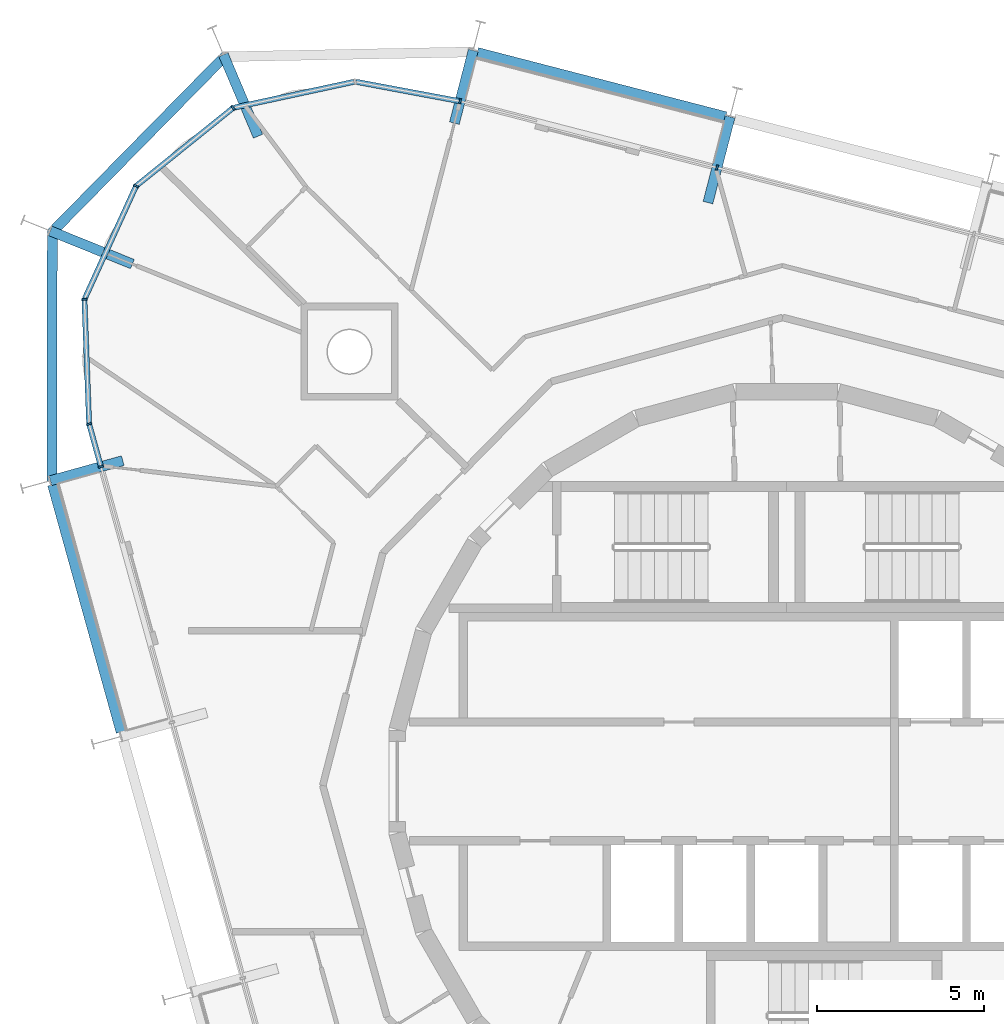
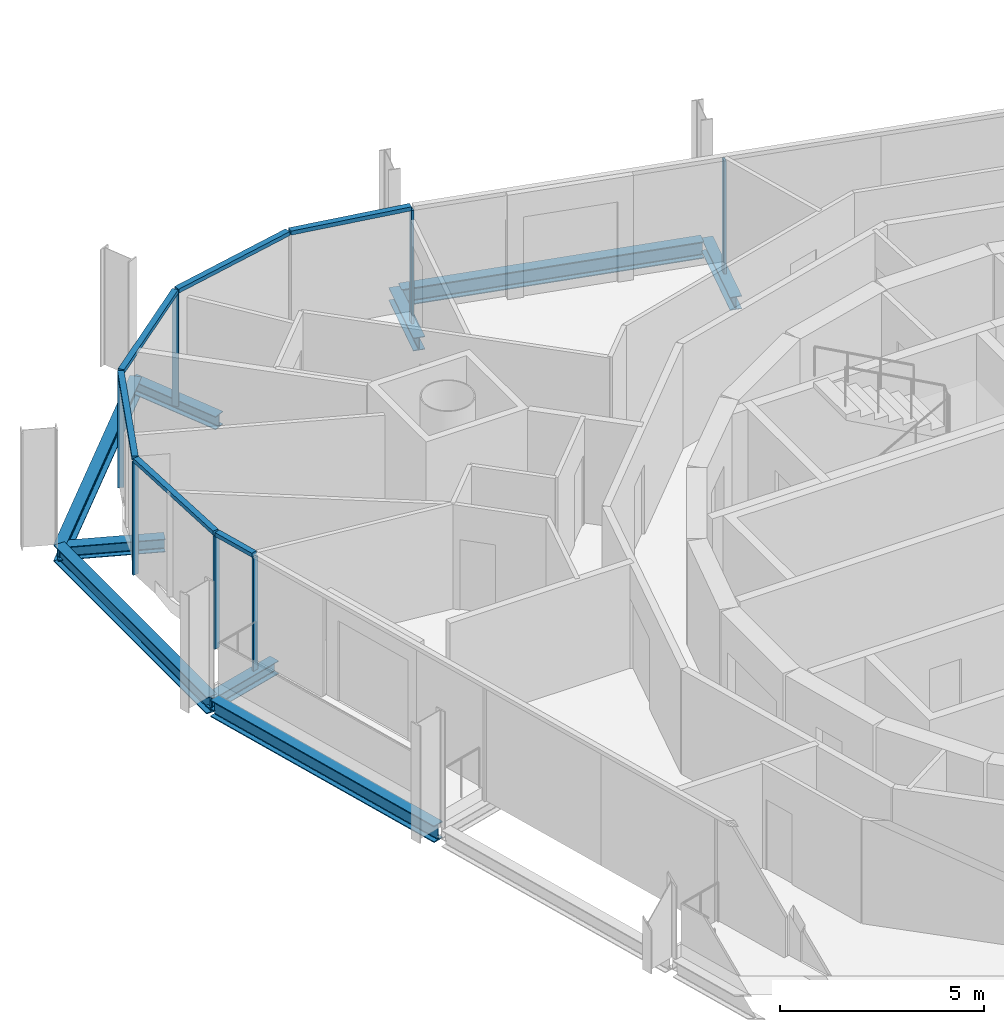
# One storey, part 5 of 15: 13 members, 9 beams, 3 elements without a shape of their own.
"""IFC4 building model written with IfcOpenShell, lengths in metres."""

from ifc_helpers import new_model, si_unit, direction, frame, origin, origin_2d, place, context, subcontext, project, spatial, rectangle, i_section, extrude, material, layer, layer_set, material_profile, profile_set, type_object, element, aggregate, save


model = new_model("IFC4")

# Units and contexts
model_context = context("Model", 3, precision=1e-05, world=origin(), true_north=direction((0.0, 1.0)))
body_context = subcontext(model_context, "Body", "Model", "MODEL_VIEW")
ifc_project = project(units=[si_unit("LENGTHUNIT", "METRE"), si_unit("AREAUNIT", "SQUARE_METRE"), si_unit("VOLUMEUNIT", "CUBIC_METRE"), si_unit("PLANEANGLEUNIT", "RADIAN"), si_unit("MASSUNIT", "GRAM", prefix="KILO")], contexts=[model_context])

# Site, building, storey
site_placement = place(None, origin())
site = spatial("IfcSite", under=ifc_project, at=site_placement, CompositionType="ELEMENT")
building_placement = place(site_placement, origin())
building = spatial("IfcBuilding", under=site, at=building_placement, Name="Spindle Arch Residences", CompositionType="ELEMENT")
storey_placement = place(building_placement, frame((0.0, 0.0, 308.699951171875)))
storey = spatial("IfcBuildingStorey", under=building, at=storey_placement, Name="L79", CompositionType="ELEMENT", Elevation=308.699951171875)

# Curtain wall, member
ifc_material_1 = material(Name="Aluminium bronze unitised frame with tinted glass", Category="aluminium")
ifc_layer_1 = layer(ifc_material_1, 0.159912109375)
ifc_layer_set_1 = layer_set([ifc_layer_1], Name="CW-C typical residential unitised wall")
curtain_wall_type_1 = type_object("IfcCurtainWallType", Name="CW-C typical residential unitised wall", PredefinedType="NOTDEFINED", material=ifc_layer_set_1)
curtain_wall_1_placement = place(storey_placement, origin())
curtain_wall_1 = element("IfcCurtainWall", 1, at=curtain_wall_1_placement, inside=storey, type_object=curtain_wall_type_1, Name="CW-C L79 run 2", PredefinedType="NOTDEFINED")
ifc_material_2 = material(Name="Aluminium bronze anodised mullion", Category="aluminium")
ifc_material_profile_1 = material_profile(ifc_material_2, rectangle(XDim=0.159912109375, YDim=0.06005859375, at=origin_2d()), Name="MU 60x160")
ifc_profile_set_1 = profile_set([ifc_material_profile_1], Name="Aluminium bronze anodised mullion")
member_type_1 = type_object("IfcMemberType", Name="Bronze mullion 60x160", PredefinedType="MULLION", material=ifc_profile_set_1)
member_1_placement = place(storey_placement, frame((-2.084228515625, 18.35107421875, -0.3798828125), z_axis=(0.0, 0.0, 1.0), x_axis=(-0.250380004054, -0.968147640378, 0.0)))
member_1 = element("IfcMember", 2, at=member_1_placement, type_object=member_type_1, Name="CW-C mullion 07", PredefinedType="MULLION", context=body_context, shape_type="SweptSolid", body=[
    extrude(rectangle(XDim=0.159912109375, YDim=0.06005859375, at=origin_2d()), origin(), (0.0, 0.0, 1.0), 3.3798828125),
])
aggregate(curtain_wall_1, [member_1])

# Curtain wall, members
ifc_material_3 = material(Name="Aluminium bronze unitised frame with tinted glass", Category="aluminium")
ifc_layer_2 = layer(ifc_material_3, 0.159912109375)
ifc_layer_set_2 = layer_set([ifc_layer_2], Name="CW-D corner wall on the fillet arcs")
curtain_wall_type_2 = type_object("IfcCurtainWallType", Name="CW-D corner wall on the fillet arcs", PredefinedType="NOTDEFINED", material=ifc_layer_set_2)
curtain_wall_2_placement = place(storey_placement, origin())
curtain_wall_2 = element("IfcCurtainWall", 3, at=curtain_wall_2_placement, inside=storey, type_object=curtain_wall_type_2, Name="CW-D L79 run 3", PredefinedType="NOTDEFINED")
member_2_placement = place(storey_placement, frame((-9.7666015625, 20.337890625, -0.3798828125), z_axis=(0.0, 0.0, 1.0), x_axis=(-0.183837217301, -0.98295670176, 0.0)))
member_2 = element("IfcMember", 4, at=member_2_placement, type_object=member_type_1, Name="CW-D mullion 00", PredefinedType="MULLION", context=body_context, shape_type="SweptSolid", body=[
    extrude(rectangle(XDim=0.159912109375, YDim=0.06005859375, at=origin_2d()), origin(), (0.0, 0.0, 1.0), 3.3798828125),
])
member_3_placement = place(storey_placement, frame((-16.5517578125, 20.14013671875, -0.3798828125), z_axis=(0.0, 0.0, 1.0), x_axis=(0.627057107401, -0.778973288411, 0.0)))
member_3 = element("IfcMember", 5, at=member_3_placement, type_object=member_type_1, Name="CW-D mullion 02", PredefinedType="MULLION", context=body_context, shape_type="SweptSolid", body=[
    extrude(rectangle(XDim=0.159912109375, YDim=0.06005859375, at=origin_2d()), origin(), (0.0, 0.0, 1.0), 3.3798828125),
])
member_4_placement = place(storey_placement, frame((-19.454833984375, 17.80322265625, -0.3798828125), z_axis=(0.0, 0.0, 1.0), x_axis=(0.9099612694, -0.414693245896, 0.0)))
member_4 = element("IfcMember", 6, at=member_4_placement, type_object=member_type_1, Name="CW-D mullion 03", PredefinedType="MULLION", context=body_context, shape_type="SweptSolid", body=[
    extrude(rectangle(XDim=0.159912109375, YDim=0.06005859375, at=origin_2d()), origin(), (0.0, 0.0, 1.0), 3.3798828125),
])
member_5_placement = place(storey_placement, frame((-21.00048828125, 14.411865234375, -0.3798828125), z_axis=(0.0, 0.0, 1.0), x_axis=(0.999285080405, 0.037806455536, 0.0)))
member_5 = element("IfcMember", 7, at=member_5_placement, type_object=member_type_1, Name="CW-D mullion 04", PredefinedType="MULLION", context=body_context, shape_type="SweptSolid", body=[
    extrude(rectangle(XDim=0.159912109375, YDim=0.06005859375, at=origin_2d()), origin(), (0.0, 0.0, 1.0), 3.3798828125),
])
member_6_placement = place(storey_placement, frame((-20.859375, 10.687744140625, -0.3798828125), z_axis=(0.0, 0.0, 1.0), x_axis=(0.963630453209, 0.267238376078, 0.0)))
member_6 = element("IfcMember", 8, at=member_6_placement, type_object=member_type_1, Name="CW-D mullion 05", PredefinedType="MULLION", context=body_context, shape_type="SweptSolid", body=[
    extrude(rectangle(XDim=0.159912109375, YDim=0.06005859375, at=origin_2d()), origin(), (0.0, 0.0, 1.0), 3.3798828125),
])

# Curtain wall, member
curtain_wall_3_placement = place(storey_placement, origin())
curtain_wall_3 = element("IfcCurtainWall", 9, at=curtain_wall_3_placement, inside=storey, type_object=curtain_wall_type_1, Name="CW-C L79 run 4", PredefinedType="NOTDEFINED")
member_7_placement = place(storey_placement, frame((-20.505126953125, 9.41015625, -0.3798828125), z_axis=(0.0, 0.0, 1.0), x_axis=(0.963630453209, 0.267238376078, 0.0)))
member_7 = element("IfcMember", 10, at=member_7_placement, type_object=member_type_1, Name="CW-C mullion 11", PredefinedType="MULLION", context=body_context, shape_type="SweptSolid", body=[
    extrude(rectangle(XDim=0.159912109375, YDim=0.06005859375, at=origin_2d()), origin(), (0.0, 0.0, 1.0), 3.3798828125),
])
aggregate(curtain_wall_3, [member_7])

# Member
ifc_material_4 = material(Name="Aluminium bronze anodised transom", Category="aluminium")
ifc_material_profile_2 = material_profile(ifc_material_4, rectangle(XDim=0.159912109375, YDim=0.1201171875, at=origin_2d()), Name="TR 120x160")
ifc_profile_set_2 = profile_set([ifc_material_profile_2], Name="Aluminium bronze anodised transom")
member_type_2 = type_object("IfcMemberType", Name="Bronze transom 120x160", PredefinedType="USERDEFINED", material=ifc_profile_set_2)
member_8_placement = place(storey_placement, frame((-9.796142578125, 20.34326171875, 3.06005859375), z_axis=(-0.982955792974, 0.183842076412, 0.0), x_axis=(-0.183842076412, -0.982955792974, 0.0)))
member_8 = element("IfcMember", 11, at=member_8_placement, type_object=member_type_2, Name="CW-D transom 00", ObjectType="TRANSOM", PredefinedType="USERDEFINED", context=body_context, shape_type="SweptSolid", body=[
    extrude(rectangle(XDim=0.159912109375, YDim=0.1201171875, at=origin_2d()), origin(), (0.0, 0.0, 1.0), 3.13671875),
])

member_9_placement = place(storey_placement, frame((-12.938232421875, 20.919189453125, 3.06005859375), z_axis=(-0.977527770532, -0.210806683571, 0.0), x_axis=(0.210806683571, -0.977527770532, 0.0)))
member_9 = element("IfcMember", 12, at=member_9_placement, type_object=member_type_2, Name="CW-D transom 01", ObjectType="TRANSOM", PredefinedType="USERDEFINED", context=body_context, shape_type="SweptSolid", body=[
    extrude(rectangle(XDim=0.159912109375, YDim=0.1201171875, at=origin_2d()), origin(), (0.0, 0.0, 1.0), 3.66650390625),
])

member_10_placement = place(storey_placement, frame((-16.5751953125, 20.121337890625, 3.06005859375), z_axis=(-0.778981543265, -0.627046852518, 0.0), x_axis=(0.627046852518, -0.778981543265, 0.0)))
member_10 = element("IfcMember", 13, at=member_10_placement, type_object=member_type_2, Name="CW-D transom 02", ObjectType="TRANSOM", PredefinedType="USERDEFINED", context=body_context, shape_type="SweptSolid", body=[
    extrude(rectangle(XDim=0.159912109375, YDim=0.1201171875, at=origin_2d()), origin(), (0.0, 0.0, 1.0), 3.6669921875),
])

member_11_placement = place(storey_placement, frame((-19.46728515625, 17.77587890625, 3.06005859375), z_axis=(-0.414725728642, -0.90994646546, 0.0), x_axis=(0.90994646546, -0.414725728642, 0.0)))
member_11 = element("IfcMember", 14, at=member_11_placement, type_object=member_type_2, Name="CW-D transom 03", ObjectType="TRANSOM", PredefinedType="USERDEFINED", context=body_context, shape_type="SweptSolid", body=[
    extrude(rectangle(XDim=0.159912109375, YDim=0.1201171875, at=origin_2d()), origin(), (0.0, 0.0, 1.0), 3.6669921875),
])

member_12_placement = place(storey_placement, frame((-20.999267578125, 14.382080078125, 3.06005859375), z_axis=(0.03781688996, -0.99928468558, 0.0), x_axis=(0.99928468558, 0.03781688996, 0.0)))
member_12 = element("IfcMember", 15, at=member_12_placement, type_object=member_type_2, Name="CW-D transom 04", ObjectType="TRANSOM", PredefinedType="USERDEFINED", context=body_context, shape_type="SweptSolid", body=[
    extrude(rectangle(XDim=0.159912109375, YDim=0.1201171875, at=origin_2d()), origin(), (0.0, 0.0, 1.0), 3.6669921875),
])

member_13_placement = place(storey_placement, frame((-20.8515625, 10.658935546875, 3.06005859375), z_axis=(0.267275846412, -0.963620060981, 0.0), x_axis=(0.963620060981, 0.267275846412, 0.0)))
member_13 = element("IfcMember", 16, at=member_13_placement, type_object=member_type_2, Name="CW-D transom 05", ObjectType="TRANSOM", PredefinedType="USERDEFINED", context=body_context, shape_type="SweptSolid", body=[
    extrude(rectangle(XDim=0.159912109375, YDim=0.1201171875, at=origin_2d()), origin(), (0.0, 0.0, 1.0), 1.26611328125),
])

aggregate(curtain_wall_2, [member_2, member_8, member_9, member_3, member_10, member_4, member_11, member_5, member_12, member_6, member_13])

# Beams
ifc_material_5 = material(Name="Steel S460ML, intumescent coating R 120", Category="steel")
ifc_material_profile_3 = material_profile(ifc_material_5, i_section(OverallWidth=0.300048828125, OverallDepth=0.5, WebThickness=0.014404296875, FlangeThickness=0.028076171875, FilletRadius=0.027099609375, at=origin_2d()), Name="HEB 500")
ifc_profile_set_3 = profile_set([ifc_material_profile_3], Name="Steel S460ML, intumescent coating R 120")
beam_type_1 = type_object("IfcBeamType", Name="Exoskeleton edge beam HEB 500", PredefinedType="BEAM", material=ifc_profile_set_3)
beam_1_placement = place(storey_placement, frame((-1.824462890625, 19.87451171875, -0.6298828125), z_axis=(-0.968149836341, 0.250371512743, 0.0), x_axis=(-0.250371512743, -0.968149836341, 0.0)))
element("IfcBeam", 17, at=beam_1_placement, inside=storey, type_object=beam_type_1, Name="Exoskeleton edge beam 8", PredefinedType="BEAM", context=body_context, shape_type="SweptSolid", body=[
    extrude(i_section(OverallWidth=0.300048828125, OverallDepth=0.5, WebThickness=0.014404296875, FlangeThickness=0.028076171875, FilletRadius=0.027099609375, at=origin_2d()), origin(), (0.0, 0.0, 1.0), 7.675048828125),
])
beam_2_placement = place(storey_placement, frame((-16.767333984375, 21.715576171875, -0.6298828125), z_axis=(-0.700904877176, -0.713254760342, 0.0), x_axis=(0.713254760342, -0.700904877176, 0.0)))
element("IfcBeam", 18, at=beam_2_placement, inside=storey, type_object=beam_type_1, Name="Exoskeleton edge beam 10", PredefinedType="BEAM", context=body_context, shape_type="SweptSolid", body=[
    extrude(i_section(OverallWidth=0.300048828125, OverallDepth=0.5, WebThickness=0.014404296875, FlangeThickness=0.028076171875, FilletRadius=0.027099609375, at=origin_2d()), origin(), (0.0, 0.0, 1.0), 7.47265625),
])
beam_3_placement = place(storey_placement, frame((-21.95947265625, 16.472412109375, -0.6298828125), z_axis=(-0.001692871227, -0.999998567092, 0.0), x_axis=(0.999998567092, -0.001692871227, 0.0)))
element("IfcBeam", 19, at=beam_3_placement, inside=storey, type_object=beam_type_1, Name="Exoskeleton edge beam 11", PredefinedType="BEAM", context=body_context, shape_type="SweptSolid", body=[
    extrude(i_section(OverallWidth=0.300048828125, OverallDepth=0.5, WebThickness=0.014404296875, FlangeThickness=0.028076171875, FilletRadius=0.027099609375, at=origin_2d()), origin(), (0.0, 0.0, 1.0), 7.499267578125),
])
beam_4_placement = place(storey_placement, frame((-21.954345703125, 8.873291015625, -0.6298828125), z_axis=(0.26723040865, -0.963632662737, 0.0), x_axis=(0.963632662737, 0.26723040865, 0.0)))
element("IfcBeam", 20, at=beam_4_placement, inside=storey, type_object=beam_type_1, Name="Exoskeleton edge beam 12", PredefinedType="BEAM", context=body_context, shape_type="SweptSolid", body=[
    extrude(i_section(OverallWidth=0.300048828125, OverallDepth=0.5, WebThickness=0.014404296875, FlangeThickness=0.028076171875, FilletRadius=0.027099609375, at=origin_2d()), origin(), (0.0, 0.0, 1.0), 7.675048828125),
])
ifc_material_6 = material(Name="Steel S460ML, intumescent coating R 120", Category="steel")
ifc_material_profile_4 = material_profile(ifc_material_6, i_section(OverallWidth=0.300048828125, OverallDepth=0.389892578125, WebThickness=0.010986328125, FlangeThickness=0.01904296875, FilletRadius=0.027099609375, at=origin_2d()), Name="HEA 400")
ifc_profile_set_4 = profile_set([ifc_material_profile_4], Name="Steel S460ML, intumescent coating R 120")
beam_type_2 = type_object("IfcBeamType", Name="Floor outrigger HEA 400", PredefinedType="BEAM", material=ifc_profile_set_4)
beam_5_placement = place(storey_placement, frame((-1.691162109375, 19.87109375, -0.574951171875), z_axis=(-0.250396221036, -0.968143446237, 0.0), x_axis=(0.968143446237, -0.250396221036, 0.0)))
element("IfcBeam", 21, at=beam_5_placement, inside=storey, type_object=beam_type_2, Name="Floor outrigger 8", PredefinedType="BEAM", context=body_context, shape_type="SweptSolid", body=[
    extrude(i_section(OverallWidth=0.300048828125, OverallDepth=0.389892578125, WebThickness=0.010986328125, FlangeThickness=0.01904296875, FilletRadius=0.027099609375, at=origin_2d()), origin(), (0.0, 0.0, 1.0), 2.650146484375),
])
beam_6_placement = place(storey_placement, frame((-9.37353515625, 21.857666015625, -0.574951171875), z_axis=(-0.250347717753, -0.968155989609, 0.0), x_axis=(0.968155989609, -0.250347717753, 0.0)))
element("IfcBeam", 22, at=beam_6_placement, inside=storey, type_object=beam_type_2, Name="Floor outrigger 9", PredefinedType="BEAM", context=body_context, shape_type="SweptSolid", body=[
    extrude(i_section(OverallWidth=0.300048828125, OverallDepth=0.389892578125, WebThickness=0.010986328125, FlangeThickness=0.01904296875, FilletRadius=0.027099609375, at=origin_2d()), origin(), (0.0, 0.0, 1.0), 2.247802734375),
])
for number, where, z_axis, x_axis, name in (
    (23, (-16.8427734375, 21.73046875, -0.574951171875), (0.390625555943, -0.920549659195, 0.0), (0.920549659195, 0.390625555943, 0.0), "Floor outrigger 10"),
    (24, (-22.02099609375, 16.4609375, -0.574951171875), (0.927219688575, -0.374517888917, 0.0), (0.374517888917, 0.927219688575, 0.0), "Floor outrigger 11"),
):
    element("IfcBeam", number, at=place(storey_placement, frame(where, z_axis=z_axis, x_axis=x_axis)), inside=storey, type_object=beam_type_2, Name=name, PredefinedType="BEAM", context=body_context, shape_type="SweptSolid", body=[
        extrude(i_section(OverallWidth=0.300048828125, OverallDepth=0.389892578125, WebThickness=0.010986328125, FlangeThickness=0.01904296875, FilletRadius=0.027099609375, at=origin_2d()), origin(), (0.0, 0.0, 1.0), 2.64990234375),
    ])
beam_7_placement = place(storey_placement, frame((-22.01806640625, 8.990478515625, -0.574951171875), z_axis=(0.963622081643, 0.267268561132, 0.0), x_axis=(-0.267268561132, 0.963622081643, 0.0)))
element("IfcBeam", 25, at=beam_7_placement, inside=storey, type_object=beam_type_2, Name="Floor outrigger 12", PredefinedType="BEAM", context=body_context, shape_type="SweptSolid", body=[
    extrude(i_section(OverallWidth=0.300048828125, OverallDepth=0.389892578125, WebThickness=0.010986328125, FlangeThickness=0.01904296875, FilletRadius=0.027099609375, at=origin_2d()), origin(), (0.0, 0.0, 1.0), 2.248046875),
])

save(model, "model.ifc")
